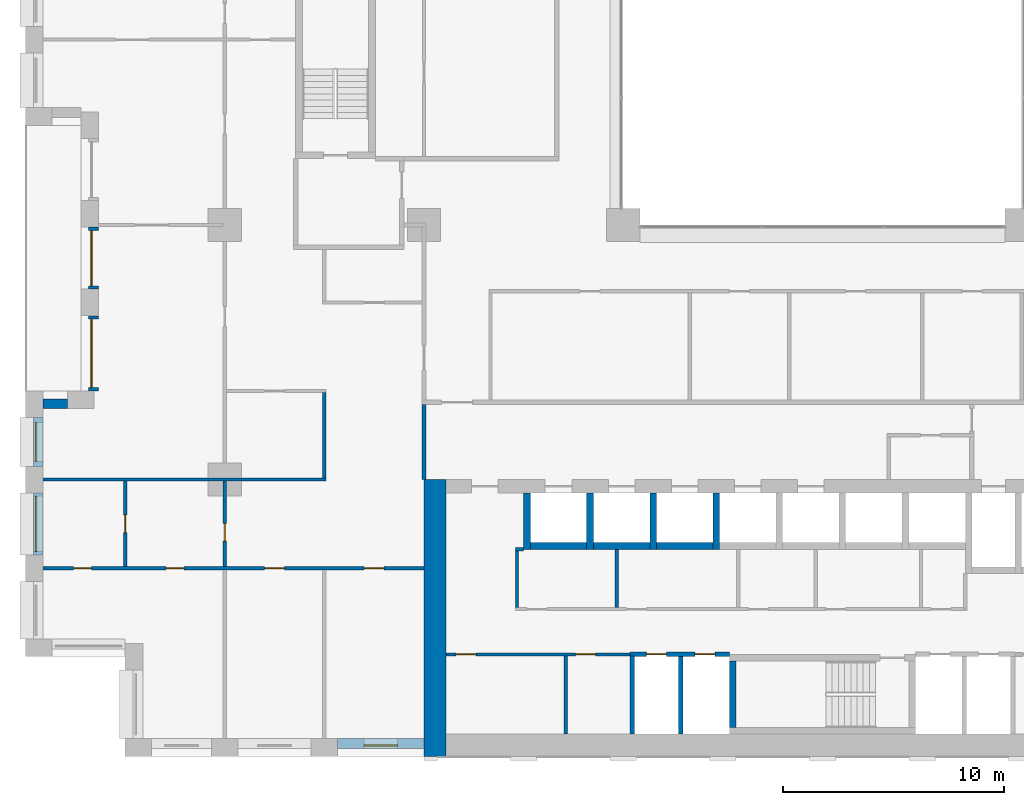
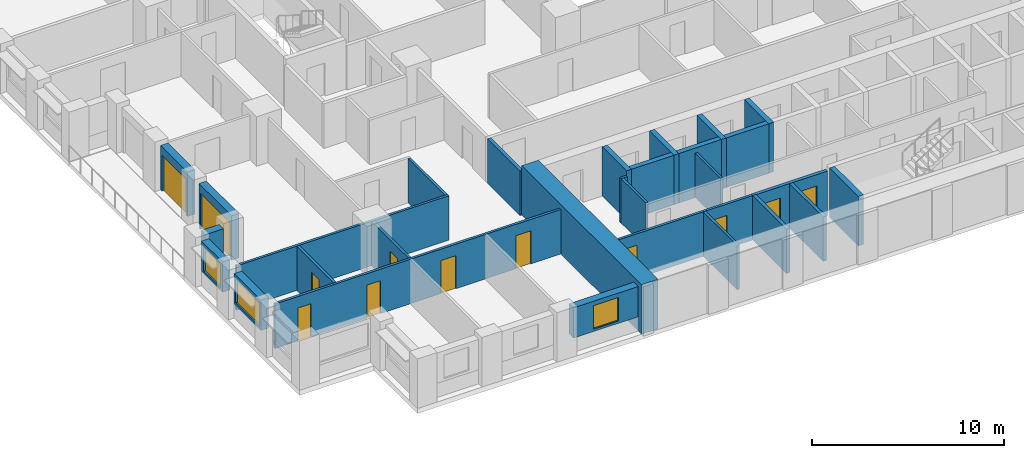
# One storey, part 9 of 21: 29 walls, 12 doors, 3 windows, 15 openings.
"""IFC4 building model written with IfcOpenShell, lengths in metres."""

import ifcopenshell
import ifcopenshell.guid

model = None  # the IFC model being written
_history = None  # IfcOwnerHistory: only IFC2X3 demands one
_inside = {}  # id of a spatial element -> (the spatial element, [elements in it])
_under = {}  # id of a project, library or spatial element -> (it, [spatial elements below it])
_declared = {}  # id of a project -> (the project, [libraries it declares])
_typed = {}  # id of a type object -> (the type object, [elements of that type])
_made_of = {}  # id of a material, layer set ... -> (it, [elements and type objects made of it])


def new_model(schema):
    """Start an empty IFC model of exactly this schema.

    Asked for "IFC4X3", IfcOpenShell would pick the latest addendum, in which some entities
    have other attributes; the version numbers below select the first issue.
    IFC2X3 requires an IfcOwnerHistory on every rooted entity: one is made here for all.
    """
    global model, _history
    if schema == "IFC4X3":
        model = ifcopenshell.file(schema_version=(4, 3, 0, 0))
    else:
        model = ifcopenshell.file(schema=schema)
    _inside.clear()
    _under.clear()
    _declared.clear()
    _typed.clear()
    _made_of.clear()
    _history = None
    if model.schema == "IFC2X3":
        org = make("IfcOrganization", Name="unknown")
        user = make(
            "IfcPersonAndOrganization",
            ThePerson=make("IfcPerson", FamilyName="unknown"),
            TheOrganization=org,
        )
        app = make(
            "IfcApplication",
            ApplicationDeveloper=org,
            Version="unknown",
            ApplicationFullName="unknown",
            ApplicationIdentifier="unknown",
        )
        _history = make(
            "IfcOwnerHistory",
            OwningUser=user,
            OwningApplication=app,
            ChangeAction="ADDED",
            CreationDate=0,
        )
    return model


def make(cls, **values):
    """One entity of the class cls with the attributes given. An attribute that is None is left unset."""
    return model.create_entity(
        cls, **{name: value for name, value in values.items() if value is not None}
    )


def rooted(cls, **values):
    """An entity with a GlobalId (a new one), such as an element, a storey or a relation."""
    return make(cls, GlobalId=ifcopenshell.guid.new(), OwnerHistory=_history, **values)


def si_unit(unit_type, name, prefix=None):
    """IfcSIUnit, for example si_unit("LENGTHUNIT", "METRE", prefix="MILLI")."""
    return make("IfcSIUnit", UnitType=unit_type, Prefix=prefix, Name=name)


def assignment(units):
    """IfcUnitAssignment: the units of a project."""
    return None if units is None else make("IfcUnitAssignment", Units=units)


def point(xyz):
    """IfcCartesianPoint."""
    return None if xyz is None else make("IfcCartesianPoint", Coordinates=xyz)


def direction(xyz):
    """IfcDirection."""
    return None if xyz is None else make("IfcDirection", DirectionRatios=xyz)


def frame(location, z_axis=None, x_axis=None):
    """IfcAxis2Placement3D, a coordinate frame: its origin and axes. An axis left out is left unset."""
    return make(
        "IfcAxis2Placement3D",
        Location=point(location),
        Axis=direction(z_axis),
        RefDirection=direction(x_axis),
    )


def frame_2d(location, x_axis=None):
    """IfcAxis2Placement2D, a coordinate frame in the plane: its origin and x axis."""
    return make(
        "IfcAxis2Placement2D", Location=point(location), RefDirection=direction(x_axis)
    )


def origin():
    """The frame at (0, 0, 0) with its axes left unset."""
    return frame((0.0, 0.0, 0.0))


def place(relative_to, where):
    """IfcLocalPlacement: puts the frame where relative to a parent placement (None: the world)."""
    return make(
        "IfcLocalPlacement", PlacementRelTo=relative_to, RelativePlacement=where
    )


def context(
    kind, dimensions, precision=None, world=None, true_north=None, identifier=None
):
    """IfcGeometricRepresentationContext, for example the 3D "Model" context."""
    return make(
        "IfcGeometricRepresentationContext",
        ContextIdentifier=identifier,
        ContextType=kind,
        CoordinateSpaceDimension=dimensions,
        Precision=precision,
        WorldCoordinateSystem=world,
        TrueNorth=true_north,
    )


def subcontext(parent, identifier, kind, view, scale=None):
    """IfcGeometricRepresentationSubContext, for example "Body" below "Model"."""
    return make(
        "IfcGeometricRepresentationSubContext",
        ContextIdentifier=identifier,
        ContextType=kind,
        ParentContext=parent,
        TargetScale=scale,
        TargetView=view,
    )


def project(units=None, contexts=None):
    """IfcProject with its units and contexts."""
    return rooted(
        "IfcProject",
        Name="project",
        RepresentationContexts=contexts,
        UnitsInContext=assignment(units),
    )


def spatial(cls, under=None, at=None, **own):
    """A site, building, storey or space (cls), placed at a placement, below another one or the project."""
    s = rooted(cls, ObjectPlacement=at, **own)
    if under is not None:
        _under.setdefault(under.id(), (under, []))[1].append(s)
    return s


def profile(cls, at=None, kind="AREA", **sizes):
    """A parametric profile (cls). Its sizes go by their IFC names, for example OverallWidth=200.0."""
    return make(cls, ProfileType=kind, Position=at, **sizes)


def rectangle(**sizes):
    """IfcRectangleProfileDef."""
    return profile("IfcRectangleProfileDef", **sizes)


def extrude(swept, where, along, depth):
    """IfcExtrudedAreaSolid: the profile swept, set in the frame where, extruded along a direction by depth."""
    return make(
        "IfcExtrudedAreaSolid",
        SweptArea=swept,
        Position=where,
        ExtrudedDirection=direction(along),
        Depth=depth,
    )


def shape(context_of_items, identifier, shape_type, items):
    """IfcShapeRepresentation: the items that make up one representation, for example the "Body"."""
    return make(
        "IfcShapeRepresentation",
        ContextOfItems=context_of_items,
        RepresentationIdentifier=identifier,
        RepresentationType=shape_type,
        Items=items,
    )


def material(Name=None, Category=None):
    """IfcMaterial."""
    return make("IfcMaterial", Name=Name, Category=Category)


def layer(
    of_material, thickness, ventilated=None, Name=None, Category=None, Priority=None
):
    """IfcMaterialLayer: one layer of a wall or slab, of a material (None: an air gap)."""
    return make(
        "IfcMaterialLayer",
        Material=of_material,
        LayerThickness=thickness,
        IsVentilated=ventilated,
        Name=Name,
        Category=Category,
        Priority=Priority,
    )


def layer_set(layers, Name=None):
    """IfcMaterialLayerSet."""
    return make("IfcMaterialLayerSet", MaterialLayers=layers, LayerSetName=Name)


def made_of(thing, what):
    """Note that an element or type object is made of a material, layer set ...; save() writes the relation."""
    if what is not None:
        _made_of.setdefault(what.id(), (what, []))[1].append(thing)
    return thing


def type_object(cls, material=None, **own):
    """A type object (cls), such as IfcWallType, which elements share."""
    return made_of(rooted(cls, **own), material)


def element(
    cls,
    number,
    at=None,
    inside=None,
    cuts=None,
    type_object=None,
    material=None,
    context=None,
    identifier="Body",
    shape_type=None,
    held_by="IfcProductDefinitionShape",
    body=None,
    shapes=None,
    **own,
):
    """One element of the class cls, such as IfcWall. Its Tag is "e" and its number.

    at: its placement. inside: the storey or other place that contains it. cuts: it is an
    opening in that element (IfcRelVoidsElement). A single representation is given by context,
    identifier, shape_type and body (its items); several are given by shapes. held_by: the class
    of the entity that holds the representations. save() writes the other relations.
    """
    e = rooted(cls, Tag="e%d" % number, ObjectPlacement=at, **own)
    if body is not None:
        shapes = [shape(context, identifier, shape_type, body)]
    if shapes is not None:
        e.Representation = make(held_by, Representations=shapes)
    if inside is not None:
        _inside.setdefault(inside.id(), (inside, []))[1].append(e)
    if cuts is not None:
        rooted(
            "IfcRelVoidsElement", RelatingBuildingElement=cuts, RelatedOpeningElement=e
        )
    if type_object is not None:
        _typed.setdefault(type_object.id(), (type_object, []))[1].append(e)
    return made_of(e, material)


def fill(opening, filler):
    """IfcRelFillsElement: the door or window that sits in an opening."""
    return rooted(
        "IfcRelFillsElement",
        RelatingOpeningElement=opening,
        RelatedBuildingElement=filler,
    )


def aggregate(whole, parts):
    """IfcRelAggregates: a whole, such as a stair, and the parts it consists of."""
    return rooted("IfcRelAggregates", RelatingObject=whole, RelatedObjects=parts)


def save(model, path):
    """Write the relations noted so far, then the file.

    IfcRelAggregates (storeys below a building ...), IfcRelContainedInSpatialStructure (elements
    in a storey), IfcRelDefinesByType, IfcRelAssociatesMaterial and IfcRelDeclares: one each for
    every whole, place, type object, material and project.
    """
    for whole, parts in _under.values():
        aggregate(whole, parts)
    for where, things in _inside.values():
        rooted(
            "IfcRelContainedInSpatialStructure",
            RelatedElements=things,
            RelatingStructure=where,
        )
    for kind, things in _typed.values():
        rooted("IfcRelDefinesByType", RelatedObjects=things, RelatingType=kind)
    for what, things in _made_of.values():
        rooted("IfcRelAssociatesMaterial", RelatedObjects=things, RelatingMaterial=what)
    for by, libraries in _declared.values():
        rooted("IfcRelDeclares", RelatingContext=by, RelatedDefinitions=libraries)
    model.write(path)


model = new_model("IFC4")

# Units and contexts
model_context = context("Model", 3, precision=1e-05, world=origin(), true_north=direction((0.0, 1.0)))
body_context = subcontext(model_context, "Body", "Model", "MODEL_VIEW")
ifc_project = project(units=[si_unit("LENGTHUNIT", "METRE"), si_unit("AREAUNIT", "SQUARE_METRE"), si_unit("VOLUMEUNIT", "CUBIC_METRE"), si_unit("PLANEANGLEUNIT", "RADIAN"), si_unit("MASSUNIT", "GRAM", prefix="KILO")], contexts=[model_context])

# Site, building, storey
site_placement = place(None, origin())
site = spatial("IfcSite", under=ifc_project, at=site_placement, CompositionType="ELEMENT")
building_placement = place(site_placement, origin())
building = spatial("IfcBuilding", under=site, at=building_placement, Name="Brigalow Station Residences", CompositionType="ELEMENT")
storey_placement = place(building_placement, frame((0.0, 0.0, 47.85009765625)))
storey = spatial("IfcBuildingStorey", under=building, at=storey_placement, Name="L13", CompositionType="ELEMENT", Elevation=47.85009765625)

# Wall, opening, window
ifc_material_1 = material(Name="Clay brick masonry", Category="masonry")
ifc_layer_1 = layer(ifc_material_1, 0.449951171875)
ifc_layer_set_1 = layer_set([ifc_layer_1], Name="BRICK INFILL WALL 450")
wall_type_1 = type_object("IfcWallType", Name="BRICK INFILL WALL 450", PredefinedType="SOLIDWALL", material=ifc_layer_set_1)
wall_1_placement = place(storey_placement, frame((14.10009765625, 0.574951171875, 0.89990234375), z_axis=(0.0, 0.0, 1.0), x_axis=(1.0, 0.0, 0.0)))
wall_1 = element("IfcWall", 1, at=wall_1_placement, inside=storey, type_object=wall_type_1, Name="L13/ewall/W-L13-3", PredefinedType="SOLIDWALL", context=body_context, shape_type="SweptSolid", body=[
    extrude(rectangle(XDim=3.89990234375, YDim=0.449951171875, at=frame_2d((1.949951171875, 0.0))), origin(), (0.0, 0.0, 1.0), 1.929931640625),
])
opening_1_placement = place(wall_1_placement, frame((1.199951171875, 0.0, 0.14990234375)))
opening_1 = element("IfcOpeningElement", 2, at=opening_1_placement, cuts=wall_1, Name="Opening WT-1", PredefinedType="OPENING", context=body_context, shape_type="SweptSolid", body=[
    extrude(rectangle(XDim=1.5, YDim=1.5, at=frame_2d((0.75, 0.75))), frame((0.0, 0.23486328125, 0.0), z_axis=(0.0, -1.0, 0.0), x_axis=(1.0, 0.0, 0.0)), (0.0, 0.0, 1.0), 0.469970703125),
])
ifc_material_2 = material(Name="Anodised aluminium frame with double glazing", Category="aluminium")
window_type_1 = type_object("IfcWindowType", Name="WINDOW 1500x1500", PartitioningType="SINGLE_PANEL", PredefinedType="WINDOW", material=ifc_material_2)
window_1_placement = place(opening_1_placement, origin())
window_1 = element("IfcWindow", 3, at=window_1_placement, inside=storey, type_object=window_type_1, Name="L13/window/W-L13-3", OverallHeight=1.5, OverallWidth=1.5, PartitioningType="SINGLE_PANEL", PredefinedType="WINDOW", context=body_context, shape_type="SweptSolid", body=[
    extrude(rectangle(XDim=1.5, YDim=1.5, at=frame_2d((0.75, 0.75))), frame((0.0, -0.06494140625, 0.0), z_axis=(0.0, -1.0, 0.0), x_axis=(1.0, 0.0, 0.0)), (0.0, 0.0, 1.0), 0.06005859375),
])
fill(opening_1, window_1)

# Wall, opening, door
wall_2_placement = place(storey_placement, frame((3.074951171875, 23.89990234375, 0.0), z_axis=(0.0, 0.0, 1.0), x_axis=(0.0, -1.0, 0.0)))
wall_2 = element("IfcWall", 4, at=wall_2_placement, inside=storey, type_object=wall_type_1, Name="L13/ewall/W-L13-48", PredefinedType="SOLIDWALL", context=body_context, shape_type="SweptSolid", body=[
    extrude(rectangle(XDim=2.7998046875, YDim=0.449951171875, at=frame_2d((1.39990234375, 0.0))), origin(), (0.0, 0.0, 1.0), 2.829833984375),
])
opening_2_placement = place(wall_2_placement, frame((0.14990234375, 0.0, 0.0)))
opening_2 = element("IfcOpeningElement", 5, at=opening_2_placement, cuts=wall_2, Name="Opening D-B2500", PredefinedType="OPENING", context=body_context, shape_type="SweptSolid", body=[
    extrude(rectangle(XDim=2.5, YDim=2.300048828125, at=frame_2d((1.25, 1.14990234375))), frame((0.0, 0.23486328125, 0.0), z_axis=(0.0, -1.0, 0.0), x_axis=(1.0, 0.0, 0.0)), (0.0, 0.0, 1.0), 0.469970703125),
])
ifc_material_3 = material(Name="Anodised aluminium frame with double glazing", Category="aluminium")
door_type_1 = type_object("IfcDoorType", Name="BALCONY SLIDING DOOR 2500x2300", OperationType="SLIDING_TO_LEFT", PredefinedType="DOOR", material=ifc_material_3)
door_1_placement = place(opening_2_placement, origin())
door_1 = element("IfcDoor", 6, at=door_1_placement, inside=storey, type_object=door_type_1, Name="L13/balcony-door/W-L13-48", OperationType="SLIDING_TO_LEFT", OverallHeight=2.300048828125, OverallWidth=2.5, PredefinedType="DOOR", context=body_context, shape_type="SweptSolid", body=[
    extrude(rectangle(XDim=2.5, YDim=2.300048828125, at=frame_2d((1.25, 1.14990234375))), frame((0.0, -0.06982421875, 0.0), z_axis=(0.0, -1.0, 0.0), x_axis=(1.0, 0.0, 0.0)), (0.0, 0.0, 1.0), 0.050048828125),
])
fill(opening_2, door_1)

wall_3_placement = place(storey_placement, frame((3.074951171875, 19.89990234375, 0.0), z_axis=(0.0, 0.0, 1.0), x_axis=(0.0, -1.0, 0.0)))
wall_3 = element("IfcWall", 7, at=wall_3_placement, inside=storey, type_object=wall_type_1, Name="L13/ewall/W-L13-49", PredefinedType="SOLIDWALL", context=body_context, shape_type="SweptSolid", body=[
    extrude(rectangle(XDim=3.39990234375, YDim=0.449951171875, at=frame_2d((1.699951171875, 0.0))), origin(), (0.0, 0.0, 1.0), 2.829833984375),
])
opening_3_placement = place(wall_3_placement, frame((0.14990234375, 0.0, 0.0)))
opening_3 = element("IfcOpeningElement", 8, at=opening_3_placement, cuts=wall_3, Name="Opening D-B3100", PredefinedType="OPENING", context=body_context, shape_type="SweptSolid", body=[
    extrude(rectangle(XDim=3.10009765625, YDim=2.300048828125, at=frame_2d((1.550048828125, 1.14990234375))), frame((0.0, 0.23486328125, 0.0), z_axis=(0.0, -1.0, 0.0), x_axis=(1.0, 0.0, 0.0)), (0.0, 0.0, 1.0), 0.469970703125),
])
ifc_material_4 = material(Name="Anodised aluminium frame with double glazing", Category="aluminium")
door_type_2 = type_object("IfcDoorType", Name="BALCONY SLIDING DOOR 3100x2300", OperationType="SLIDING_TO_LEFT", PredefinedType="DOOR", material=ifc_material_4)
door_2_placement = place(opening_3_placement, origin())
door_2 = element("IfcDoor", 9, at=door_2_placement, inside=storey, type_object=door_type_2, Name="L13/balcony-door/W-L13-49", OperationType="SLIDING_TO_LEFT", OverallHeight=2.300048828125, OverallWidth=3.10009765625, PredefinedType="DOOR", context=body_context, shape_type="SweptSolid", body=[
    extrude(rectangle(XDim=3.10009765625, YDim=2.300048828125, at=frame_2d((1.550048828125, 1.14990234375))), frame((0.0, -0.06982421875, 0.0), z_axis=(0.0, -1.0, 0.0), x_axis=(1.0, 0.0, 0.0)), (0.0, 0.0, 1.0), 0.050048828125),
])
fill(opening_3, door_2)

# Wall
wall_4_placement = place(storey_placement, frame((1.89990234375, 15.925048828125, 0.89990234375), z_axis=(0.0, 0.0, 1.0), x_axis=(-1.0, 0.0, 0.0)))
element("IfcWall", 10, at=wall_4_placement, inside=storey, type_object=wall_type_1, Name="L13/ewall/W-L13-50", PredefinedType="SOLIDWALL", context=body_context, shape_type="SweptSolid", body=[
    extrude(rectangle(XDim=1.099853515625, YDim=0.449951171875, at=frame_2d((0.5498046875, 0.0))), origin(), (0.0, 0.0, 1.0), 1.929931640625),
])

# Wall, opening, window
wall_5_placement = place(storey_placement, frame((0.574951171875, 15.300048828125, 0.89990234375), z_axis=(0.0, 0.0, 1.0), x_axis=(0.0, -1.0, 0.0)))
wall_5 = element("IfcWall", 11, at=wall_5_placement, inside=storey, type_object=wall_type_1, Name="L13/ewall/W-L13-51", PredefinedType="SOLIDWALL", context=body_context, shape_type="SweptSolid", body=[
    extrude(rectangle(XDim=2.199951171875, YDim=0.449951171875, at=frame_2d((1.10009765625, 0.0))), origin(), (0.0, 0.0, 1.0), 1.929931640625),
])
opening_4_placement = place(wall_5_placement, frame((0.22509765625, 0.0, 0.14990234375)))
opening_4 = element("IfcOpeningElement", 12, at=opening_4_placement, cuts=wall_5, Name="Opening WT-4", PredefinedType="OPENING", context=body_context, shape_type="SweptSolid", body=[
    extrude(rectangle(XDim=1.75, YDim=1.5, at=frame_2d((0.875, 0.75))), frame((0.0, 0.23486328125, 0.0), z_axis=(0.0, -1.0, 0.0), x_axis=(1.0, 0.0, 0.0)), (0.0, 0.0, 1.0), 0.469970703125),
])
ifc_material_5 = material(Name="Anodised aluminium frame with double glazing", Category="aluminium")
window_type_2 = type_object("IfcWindowType", Name="WINDOW 1750x1500", PartitioningType="SINGLE_PANEL", PredefinedType="WINDOW", material=ifc_material_5)
window_2_placement = place(opening_4_placement, origin())
window_2 = element("IfcWindow", 13, at=window_2_placement, inside=storey, type_object=window_type_2, Name="L13/window/W-L13-51", OverallHeight=1.5, OverallWidth=1.75, PartitioningType="SINGLE_PANEL", PredefinedType="WINDOW", context=body_context, shape_type="SweptSolid", body=[
    extrude(rectangle(XDim=1.75, YDim=1.5, at=frame_2d((0.875, 0.75))), frame((0.0, -0.06494140625, 0.0), z_axis=(0.0, -1.0, 0.0), x_axis=(1.0, 0.0, 0.0)), (0.0, 0.0, 1.0), 0.06005859375),
])
fill(opening_4, window_2)

wall_6_placement = place(storey_placement, frame((0.574951171875, 11.89990234375, 0.89990234375), z_axis=(0.0, 0.0, 1.0), x_axis=(0.0, -1.0, 0.0)))
wall_6 = element("IfcWall", 14, at=wall_6_placement, inside=storey, type_object=wall_type_1, Name="L13/ewall/W-L13-52", PredefinedType="SOLIDWALL", context=body_context, shape_type="SweptSolid", body=[
    extrude(rectangle(XDim=2.7998046875, YDim=0.449951171875, at=frame_2d((1.39990234375, 0.0))), origin(), (0.0, 0.0, 1.0), 1.929931640625),
])
opening_5_placement = place(wall_6_placement, frame((0.14990234375, 0.0, 0.14990234375)))
opening_5 = element("IfcOpeningElement", 15, at=opening_5_placement, cuts=wall_6, Name="Opening WT-5", PredefinedType="OPENING", context=body_context, shape_type="SweptSolid", body=[
    extrude(rectangle(XDim=2.5, YDim=1.5, at=frame_2d((1.25, 0.75))), frame((0.0, 0.23486328125, 0.0), z_axis=(0.0, -1.0, 0.0), x_axis=(1.0, 0.0, 0.0)), (0.0, 0.0, 1.0), 0.469970703125),
])
ifc_material_6 = material(Name="Anodised aluminium frame with double glazing", Category="aluminium")
window_type_3 = type_object("IfcWindowType", Name="WINDOW 2500x1500", PartitioningType="SINGLE_PANEL", PredefinedType="WINDOW", material=ifc_material_6)
window_3_placement = place(opening_5_placement, origin())
window_3 = element("IfcWindow", 16, at=window_3_placement, inside=storey, type_object=window_type_3, Name="L13/window/W-L13-52", OverallHeight=1.5, OverallWidth=2.5, PartitioningType="SINGLE_PANEL", PredefinedType="WINDOW", context=body_context, shape_type="SweptSolid", body=[
    extrude(rectangle(XDim=2.5, YDim=1.5, at=frame_2d((1.25, 0.75))), frame((0.0, -0.06494140625, 0.0), z_axis=(0.0, -1.0, 0.0), x_axis=(1.0, 0.0, 0.0)), (0.0, 0.0, 1.0), 0.06005859375),
])
fill(opening_5, window_3)

# Walls
ifc_material_7 = material(Name="Concrete C80", Category="concrete")
ifc_layer_2 = layer(ifc_material_7, 1.0)
ifc_layer_set_2 = layer_set([ifc_layer_2], Name="CORE SHEAR WALL 1000 C80")
wall_type_2 = type_object("IfcWallType", Name="CORE SHEAR WALL 1000 C80", PredefinedType="SHEAR", material=ifc_layer_set_2)
wall_7_placement = place(storey_placement, frame((18.5, 0.0, 0.0), z_axis=(0.0, 0.0, 1.0), x_axis=(0.0, 1.0, 0.0)))
element("IfcWall", 17, at=wall_7_placement, inside=storey, type_object=wall_type_2, Name="CORE WALL OUT-W L13", PredefinedType="SHEAR", context=body_context, shape_type="SweptSolid", body=[
    extrude(rectangle(XDim=12.5, YDim=1.0, at=frame_2d((6.25, 0.0))), origin(), (0.0, 0.0, 1.0), 3.14990234375),
])
ifc_material_8 = material(Name="Concrete C80", Category="concrete")
ifc_layer_3 = layer(ifc_material_8, 0.300048828125)
ifc_layer_set_3 = layer_set([ifc_layer_3], Name="CORE SHEAR WALL 300 C80")
wall_type_3 = type_object("IfcWallType", Name="CORE SHEAR WALL 300 C80", PredefinedType="SHEAR", material=ifc_layer_set_3)
wall_8_placement = place(storey_placement, frame((22.800048828125, 9.5, 0.0), z_axis=(0.0, 0.0, 1.0), x_axis=(1.0, 0.0, 0.0)))
element("IfcWall", 18, at=wall_8_placement, inside=storey, type_object=wall_type_3, Name="CORE WALL SH-P1-S L13", PredefinedType="SHEAR", context=body_context, shape_type="SweptSolid", body=[
    extrude(rectangle(XDim=2.550048828125, YDim=0.300048828125, at=frame_2d((1.27490234375, 0.0))), origin(), (0.0, 0.0, 1.0), 3.14990234375),
])
wall_9_placement = place(storey_placement, frame((22.64990234375, 9.35009765625, 0.0), z_axis=(0.0, 0.0, 1.0), x_axis=(0.0, 1.0, 0.0)))
element("IfcWall", 19, at=wall_9_placement, inside=storey, type_object=wall_type_3, Name="CORE WALL SH-P1-W L13", PredefinedType="SHEAR", context=body_context, shape_type="SweptSolid", body=[
    extrude(rectangle(XDim=2.5498046875, YDim=0.300048828125, at=frame_2d((1.27490234375, 0.0))), origin(), (0.0, 0.0, 1.0), 3.14990234375),
])
wall_10_placement = place(storey_placement, frame((25.64990234375, 9.5, 0.0), z_axis=(0.0, 0.0, 1.0), x_axis=(1.0, 0.0, 0.0)))
element("IfcWall", 20, at=wall_10_placement, inside=storey, type_object=wall_type_3, Name="CORE WALL SH-P2-S L13", PredefinedType="SHEAR", context=body_context, shape_type="SweptSolid", body=[
    extrude(rectangle(XDim=2.550048828125, YDim=0.300048828125, at=frame_2d((1.27490234375, 0.0))), origin(), (0.0, 0.0, 1.0), 3.14990234375),
])
wall_11_placement = place(storey_placement, frame((25.5, 9.35009765625, 0.0), z_axis=(0.0, 0.0, 1.0), x_axis=(0.0, 1.0, 0.0)))
element("IfcWall", 21, at=wall_11_placement, inside=storey, type_object=wall_type_3, Name="CORE WALL SH-P2-W L13", PredefinedType="SHEAR", context=body_context, shape_type="SweptSolid", body=[
    extrude(rectangle(XDim=2.5498046875, YDim=0.300048828125, at=frame_2d((1.27490234375, 0.0))), origin(), (0.0, 0.0, 1.0), 3.14990234375),
])
wall_12_placement = place(storey_placement, frame((28.5, 9.5, 0.0), z_axis=(0.0, 0.0, 1.0), x_axis=(1.0, 0.0, 0.0)))
element("IfcWall", 22, at=wall_12_placement, inside=storey, type_object=wall_type_3, Name="CORE WALL SH-P3-S L13", PredefinedType="SHEAR", context=body_context, shape_type="SweptSolid", body=[
    extrude(rectangle(XDim=2.550048828125, YDim=0.300048828125, at=frame_2d((1.27490234375, 0.0))), origin(), (0.0, 0.0, 1.0), 3.14990234375),
])
for number, where, z_axis, x_axis, name in (
    (23, (28.35009765625, 9.35009765625, 0.0), (0.0, 0.0, 1.0), (0.0, 1.0, 0.0), "CORE WALL SH-P3-W L13"),
    (24, (31.199951171875, 9.35009765625, 0.0), (0.0, 0.0, 1.0), (0.0, 1.0, 0.0), "CORE WALL SH-P4-W L13"),
):
    element("IfcWall", number, at=place(storey_placement, frame(where, z_axis=z_axis, x_axis=x_axis)), inside=storey, type_object=wall_type_3, Name=name, PredefinedType="SHEAR", context=body_context, shape_type="SweptSolid", body=[
        extrude(rectangle(XDim=2.5498046875, YDim=0.300048828125, at=frame_2d((1.27490234375, 0.0))), origin(), (0.0, 0.0, 1.0), 3.14990234375),
    ])
wall_13_placement = place(storey_placement, frame((31.949951171875, 1.300048828125, 0.0), z_axis=(0.0, 0.0, 1.0), x_axis=(0.0, 1.0, 0.0)))
element("IfcWall", 25, at=wall_13_placement, inside=storey, type_object=wall_type_3, Name="CORE WALL ST-S2-W L13", PredefinedType="SHEAR", context=body_context, shape_type="SweptSolid", body=[
    extrude(rectangle(XDim=3.0, YDim=0.300048828125, at=frame_2d((1.5, 0.0))), origin(), (0.0, 0.0, 1.0), 3.14990234375),
])

# Wall, openings, doors
ifc_material_9 = material(Name="Concrete blockwork", Category="masonry")
ifc_layer_4 = layer(ifc_material_9, 0.199951171875)
ifc_layer_set_4 = layer_set([ifc_layer_4], Name="FIRE RATED CORE PARTITION 200")
wall_type_4 = type_object("IfcWallType", Name="FIRE RATED CORE PARTITION 200", PredefinedType="PARTITIONING", material=ifc_layer_set_4)
wall_14_placement = place(storey_placement, frame((27.300048828125, 4.60009765625, 0.0), z_axis=(0.0, 0.0, 1.0), x_axis=(1.0, 0.0, 0.0)))
wall_14 = element("IfcWall", 26, at=wall_14_placement, inside=storey, type_object=wall_type_4, Name="PW-5017", PredefinedType="PARTITIONING", context=body_context, shape_type="SweptSolid", body=[
    extrude(rectangle(XDim=4.5, YDim=0.199951171875, at=frame_2d((2.25, 0.0))), origin(), (0.0, 0.0, 1.0), 2.829833984375),
])
opening_6_placement = place(wall_14_placement, frame((0.75, 0.0, 0.0)))
opening_6 = element("IfcOpeningElement", 27, at=opening_6_placement, cuts=wall_14, Name="Opening D-5007", PredefinedType="OPENING", context=body_context, shape_type="SweptSolid", body=[
    extrude(rectangle(XDim=0.89990234375, YDim=2.10009765625, at=frame_2d((0.449951171875, 1.050048828125))), frame((0.0, 0.10986328125, 0.0), z_axis=(0.0, -1.0, 0.0), x_axis=(1.0, 0.0, 0.0)), (0.0, 0.0, 1.0), 0.219970703125),
])
opening_7_placement = place(wall_14_placement, frame((2.949951171875, 0.0, 0.0)))
opening_7 = element("IfcOpeningElement", 28, at=opening_7_placement, cuts=wall_14, Name="Opening D-5008", PredefinedType="OPENING", context=body_context, shape_type="SweptSolid", body=[
    extrude(rectangle(XDim=0.89990234375, YDim=2.10009765625, at=frame_2d((0.449951171875, 1.050048828125))), frame((0.0, 0.10986328125, 0.0), z_axis=(0.0, -1.0, 0.0), x_axis=(1.0, 0.0, 0.0)), (0.0, 0.0, 1.0), 0.219970703125),
])
ifc_material_10 = material(Name="Steel fire door leaf in steel frame", Category="steel")
door_type_3 = type_object("IfcDoorType", Name="RISER ACCESS DOOR 900 x 2100 FD120", OperationType="SINGLE_SWING_LEFT", PredefinedType="DOOR", material=ifc_material_10)
door_3_placement = place(opening_6_placement, frame((0.89990234375, 0.0, 0.0), z_axis=(0.0, 0.0, 1.0), x_axis=(-1.0, 0.0, 0.0)))
door_3 = element("IfcDoor", 29, at=door_3_placement, inside=storey, type_object=door_type_3, Name="D-5007", OperationType="SINGLE_SWING_RIGHT", OverallHeight=2.10009765625, OverallWidth=0.89990234375, PredefinedType="DOOR", context=body_context, shape_type="SweptSolid", body=[
    extrude(rectangle(XDim=0.89990234375, YDim=2.10009765625, at=frame_2d((0.449951171875, 1.050048828125))), frame((0.0, 0.02490234375, 0.0), z_axis=(0.0, -1.0, 0.0), x_axis=(1.0, 0.0, 0.0)), (0.0, 0.0, 1.0), 0.050048828125),
])
fill(opening_6, door_3)
door_4_placement = place(opening_7_placement, frame((0.89990234375, 0.0, 0.0), z_axis=(0.0, 0.0, 1.0), x_axis=(-1.0, 0.0, 0.0)))
door_4 = element("IfcDoor", 30, at=door_4_placement, inside=storey, type_object=door_type_3, Name="D-5008", OperationType="SINGLE_SWING_RIGHT", OverallHeight=2.10009765625, OverallWidth=0.89990234375, PredefinedType="DOOR", context=body_context, shape_type="SweptSolid", body=[
    extrude(rectangle(XDim=0.89990234375, YDim=2.10009765625, at=frame_2d((0.449951171875, 1.050048828125))), frame((0.0, 0.02490234375, 0.0), z_axis=(0.0, -1.0, 0.0), x_axis=(1.0, 0.0, 0.0)), (0.0, 0.0, 1.0), 0.050048828125),
])
fill(opening_7, door_4)

# Walls
wall_15_placement = place(storey_placement, frame((27.39990234375, 1.0, 0.0), z_axis=(0.0, 0.0, 1.0), x_axis=(0.0, 1.0, 0.0)))
element("IfcWall", 31, at=wall_15_placement, inside=storey, type_object=wall_type_4, Name="PW-5027", PredefinedType="PARTITIONING", context=body_context, shape_type="SweptSolid", body=[
    extrude(rectangle(XDim=3.52490234375, YDim=0.199951171875, at=frame_2d((1.762451171875, 0.0))), origin(), (0.0, 0.0, 1.0), 2.829833984375),
])
wall_16_placement = place(storey_placement, frame((29.60009765625, 1.0, 0.0), z_axis=(0.0, 0.0, 1.0), x_axis=(0.0, 1.0, 0.0)))
element("IfcWall", 32, at=wall_16_placement, inside=storey, type_object=wall_type_4, Name="PW-5006", PredefinedType="PARTITIONING", context=body_context, shape_type="SweptSolid", body=[
    extrude(rectangle(XDim=3.5, YDim=0.199951171875, at=frame_2d((1.75, 0.0))), origin(), (0.0, 0.0, 1.0), 2.829833984375),
])
wall_17_placement = place(storey_placement, frame((18.0, 12.5, 0.0), z_axis=(0.0, 0.0, 1.0), x_axis=(0.0, 1.0, 0.0)))
element("IfcWall", 33, at=wall_17_placement, inside=storey, type_object=wall_type_4, Name="PW-5013", PredefinedType="PARTITIONING", context=body_context, shape_type="SweptSolid", body=[
    extrude(rectangle(XDim=3.39990234375, YDim=0.199951171875, at=frame_2d((1.699951171875, 0.0))), origin(), (0.0, 0.0, 1.0), 2.829833984375),
])

# Wall, openings, doors
ifc_material_11 = material(Name="Plasterboard on steel stud partition", Category="steel")
ifc_layer_5 = layer(ifc_material_11, 0.14990234375)
ifc_layer_set_5 = layer_set([ifc_layer_5], Name="FLAT PARTITION 150")
wall_type_5 = type_object("IfcWallType", Name="FLAT PARTITION 150", PredefinedType="PARTITIONING", material=ifc_layer_set_5)
wall_18_placement = place(storey_placement, frame((0.800048828125, 8.5, 0.0), z_axis=(0.0, 0.0, 1.0), x_axis=(1.0, 0.0, 0.0)))
wall_18 = element("IfcWall", 34, at=wall_18_placement, inside=storey, type_object=wall_type_5, Name="PW-1D11", PredefinedType="PARTITIONING", context=body_context, shape_type="SweptSolid", body=[
    extrude(rectangle(XDim=17.199951171875, YDim=0.14990234375, at=frame_2d((8.60009765625, 0.0))), origin(), (0.0, 0.0, 1.0), 2.829833984375),
])
opening_8_placement = place(wall_18_placement, frame((10.0, 0.0, 0.0)))
opening_8 = element("IfcOpeningElement", 35, at=opening_8_placement, cuts=wall_18, Name="Opening D-1D04", PredefinedType="OPENING", context=body_context, shape_type="SweptSolid", body=[
    extrude(rectangle(XDim=0.89990234375, YDim=2.10009765625, at=frame_2d((0.449951171875, 1.050048828125))), frame((0.0, 0.0849609375, 0.0), z_axis=(0.0, -1.0, 0.0), x_axis=(1.0, 0.0, 0.0)), (0.0, 0.0, 1.0), 0.169921875),
])
opening_9_placement = place(wall_18_placement, frame((14.5, 0.0, 0.0)))
opening_9 = element("IfcOpeningElement", 36, at=opening_9_placement, cuts=wall_18, Name="Opening D-1D05", PredefinedType="OPENING", context=body_context, shape_type="SweptSolid", body=[
    extrude(rectangle(XDim=0.89990234375, YDim=2.10009765625, at=frame_2d((0.449951171875, 1.050048828125))), frame((0.0, 0.0849609375, 0.0), z_axis=(0.0, -1.0, 0.0), x_axis=(1.0, 0.0, 0.0)), (0.0, 0.0, 1.0), 0.169921875),
])
opening_10_placement = place(wall_18_placement, frame((1.375, 0.0, 0.0)))
opening_10 = element("IfcOpeningElement", 37, at=opening_10_placement, cuts=wall_18, Name="Opening D-1D09", PredefinedType="OPENING", context=body_context, shape_type="SweptSolid", body=[
    extrude(rectangle(XDim=0.800048828125, YDim=2.10009765625, at=frame_2d((0.39990234375, 1.050048828125))), frame((0.0, 0.0849609375, 0.0), z_axis=(0.0, -1.0, 0.0), x_axis=(1.0, 0.0, 0.0)), (0.0, 0.0, 1.0), 0.169921875),
])
opening_11_placement = place(wall_18_placement, frame((5.550048828125, 0.0, 0.0)))
opening_11 = element("IfcOpeningElement", 38, at=opening_11_placement, cuts=wall_18, Name="Opening D-1D16", PredefinedType="OPENING", context=body_context, shape_type="SweptSolid", body=[
    extrude(rectangle(XDim=0.800048828125, YDim=2.10009765625, at=frame_2d((0.39990234375, 1.050048828125))), frame((0.0, 0.0849609375, 0.0), z_axis=(0.0, -1.0, 0.0), x_axis=(1.0, 0.0, 0.0)), (0.0, 0.0, 1.0), 0.169921875),
])
ifc_material_12 = material(Name="Solid-core timber door leaf", Category="wood")
door_type_4 = type_object("IfcDoorType", Name="INTERNAL DOOR 800 x 2100", OperationType="SINGLE_SWING_LEFT", PredefinedType="DOOR", material=ifc_material_12)
door_5_placement = place(opening_10_placement, origin())
door_5 = element("IfcDoor", 39, at=door_5_placement, inside=storey, type_object=door_type_4, Name="D-1D09", OperationType="SINGLE_SWING_LEFT", OverallHeight=2.10009765625, OverallWidth=0.800048828125, PredefinedType="DOOR", context=body_context, shape_type="SweptSolid", body=[
    extrude(rectangle(XDim=0.800048828125, YDim=2.10009765625, at=frame_2d((0.39990234375, 1.050048828125))), frame((0.0, 0.02490234375, 0.0), z_axis=(0.0, -1.0, 0.0), x_axis=(1.0, 0.0, 0.0)), (0.0, 0.0, 1.0), 0.050048828125),
])
fill(opening_10, door_5)
door_6_placement = place(opening_11_placement, origin())
door_6 = element("IfcDoor", 40, at=door_6_placement, inside=storey, type_object=door_type_4, Name="D-1D16", OperationType="SINGLE_SWING_LEFT", OverallHeight=2.10009765625, OverallWidth=0.800048828125, PredefinedType="DOOR", context=body_context, shape_type="SweptSolid", body=[
    extrude(rectangle(XDim=0.800048828125, YDim=2.10009765625, at=frame_2d((0.39990234375, 1.050048828125))), frame((0.0, 0.02490234375, 0.0), z_axis=(0.0, -1.0, 0.0), x_axis=(1.0, 0.0, 0.0)), (0.0, 0.0, 1.0), 0.050048828125),
])
fill(opening_11, door_6)
ifc_material_13 = material(Name="Solid-core timber door leaf", Category="wood")
door_type_5 = type_object("IfcDoorType", Name="INTERNAL DOOR 900 x 2100", OperationType="SINGLE_SWING_LEFT", PredefinedType="DOOR", material=ifc_material_13)
door_7_placement = place(opening_8_placement, frame((0.89990234375, 0.0, 0.0), z_axis=(0.0, 0.0, 1.0), x_axis=(-1.0, 0.0, 0.0)))
door_7 = element("IfcDoor", 41, at=door_7_placement, inside=storey, type_object=door_type_5, Name="D-1D04", OperationType="SINGLE_SWING_RIGHT", OverallHeight=2.10009765625, OverallWidth=0.89990234375, PredefinedType="DOOR", context=body_context, shape_type="SweptSolid", body=[
    extrude(rectangle(XDim=0.89990234375, YDim=2.10009765625, at=frame_2d((0.449951171875, 1.050048828125))), frame((0.0, 0.02490234375, 0.0), z_axis=(0.0, -1.0, 0.0), x_axis=(1.0, 0.0, 0.0)), (0.0, 0.0, 1.0), 0.050048828125),
])
fill(opening_8, door_7)
door_8_placement = place(opening_9_placement, frame((0.89990234375, 0.0, 0.0), z_axis=(0.0, 0.0, 1.0), x_axis=(-1.0, 0.0, 0.0)))
door_8 = element("IfcDoor", 42, at=door_8_placement, inside=storey, type_object=door_type_5, Name="D-1D05", OperationType="SINGLE_SWING_RIGHT", OverallHeight=2.10009765625, OverallWidth=0.89990234375, PredefinedType="DOOR", context=body_context, shape_type="SweptSolid", body=[
    extrude(rectangle(XDim=0.89990234375, YDim=2.10009765625, at=frame_2d((0.449951171875, 1.050048828125))), frame((0.0, 0.02490234375, 0.0), z_axis=(0.0, -1.0, 0.0), x_axis=(1.0, 0.0, 0.0)), (0.0, 0.0, 1.0), 0.050048828125),
])
fill(opening_9, door_8)

# Wall
wall_19_placement = place(storey_placement, frame((0.800048828125, 12.5, 0.0), z_axis=(0.0, 0.0, 1.0), x_axis=(1.0, 0.0, 0.0)))
element("IfcWall", 43, at=wall_19_placement, inside=storey, type_object=wall_type_5, Name="PW-1D13", PredefinedType="PARTITIONING", context=body_context, shape_type="SweptSolid", body=[
    extrude(rectangle(XDim=12.77490234375, YDim=0.14990234375, at=frame_2d((6.387451171875, 0.0))), origin(), (0.0, 0.0, 1.0), 2.829833984375),
])

# Wall, opening, door
wall_20_placement = place(storey_placement, frame((9.0, 8.574951171875, 0.0), z_axis=(0.0, 0.0, 1.0), x_axis=(0.0, 1.0, 0.0)))
wall_20 = element("IfcWall", 44, at=wall_20_placement, inside=storey, type_object=wall_type_5, Name="PW-1D47", PredefinedType="PARTITIONING", context=body_context, shape_type="SweptSolid", body=[
    extrude(rectangle(XDim=3.85009765625, YDim=0.14990234375, at=frame_2d((1.925048828125, 0.0))), origin(), (0.0, 0.0, 1.0), 2.829833984375),
])
opening_12_placement = place(wall_20_placement, frame((1.14990234375, 0.0, 0.0)))
opening_12 = element("IfcOpeningElement", 45, at=opening_12_placement, cuts=wall_20, Name="Opening D-1D15", PredefinedType="OPENING", context=body_context, shape_type="SweptSolid", body=[
    extrude(rectangle(XDim=0.800048828125, YDim=2.10009765625, at=frame_2d((0.39990234375, 1.050048828125))), frame((0.0, 0.0849609375, 0.0), z_axis=(0.0, -1.0, 0.0), x_axis=(1.0, 0.0, 0.0)), (0.0, 0.0, 1.0), 0.169921875),
])
door_9_placement = place(opening_12_placement, origin())
door_9 = element("IfcDoor", 46, at=door_9_placement, inside=storey, type_object=door_type_4, Name="D-1D15", OperationType="SINGLE_SWING_LEFT", OverallHeight=2.10009765625, OverallWidth=0.800048828125, PredefinedType="DOOR", context=body_context, shape_type="SweptSolid", body=[
    extrude(rectangle(XDim=0.800048828125, YDim=2.10009765625, at=frame_2d((0.39990234375, 1.050048828125))), frame((0.0, 0.02490234375, 0.0), z_axis=(0.0, -1.0, 0.0), x_axis=(1.0, 0.0, 0.0)), (0.0, 0.0, 1.0), 0.050048828125),
])
fill(opening_12, door_9)

# Wall
wall_21_placement = place(storey_placement, frame((13.5, 12.574951171875, 0.0), z_axis=(0.0, 0.0, 1.0), x_axis=(0.0, 1.0, 0.0)))
element("IfcWall", 47, at=wall_21_placement, inside=storey, type_object=wall_type_5, Name="PW-1D53", PredefinedType="PARTITIONING", context=body_context, shape_type="SweptSolid", body=[
    extrude(rectangle(XDim=3.85009765625, YDim=0.14990234375, at=frame_2d((1.925048828125, 0.0))), origin(), (0.0, 0.0, 1.0), 2.829833984375),
])

# Wall, opening, door
wall_22_placement = place(storey_placement, frame((4.5, 8.574951171875, 0.0), z_axis=(0.0, 0.0, 1.0), x_axis=(0.0, 1.0, 0.0)))
wall_22 = element("IfcWall", 48, at=wall_22_placement, inside=storey, type_object=wall_type_5, Name="PW-1D55", PredefinedType="PARTITIONING", context=body_context, shape_type="SweptSolid", body=[
    extrude(rectangle(XDim=3.85009765625, YDim=0.14990234375, at=frame_2d((1.925048828125, 0.0))), origin(), (0.0, 0.0, 1.0), 2.829833984375),
])
opening_13_placement = place(wall_22_placement, frame((1.52490234375, 0.0, 0.0)))
opening_13 = element("IfcOpeningElement", 49, at=opening_13_placement, cuts=wall_22, Name="Opening D-1D10", PredefinedType="OPENING", context=body_context, shape_type="SweptSolid", body=[
    extrude(rectangle(XDim=0.800048828125, YDim=2.10009765625, at=frame_2d((0.39990234375, 1.050048828125))), frame((0.0, 0.0849609375, 0.0), z_axis=(0.0, -1.0, 0.0), x_axis=(1.0, 0.0, 0.0)), (0.0, 0.0, 1.0), 0.169921875),
])
door_10_placement = place(opening_13_placement, origin())
door_10 = element("IfcDoor", 50, at=door_10_placement, inside=storey, type_object=door_type_4, Name="D-1D10", OperationType="SINGLE_SWING_LEFT", OverallHeight=2.10009765625, OverallWidth=0.800048828125, PredefinedType="DOOR", context=body_context, shape_type="SweptSolid", body=[
    extrude(rectangle(XDim=0.800048828125, YDim=2.10009765625, at=frame_2d((0.39990234375, 1.050048828125))), frame((0.0, 0.02490234375, 0.0), z_axis=(0.0, -1.0, 0.0), x_axis=(1.0, 0.0, 0.0)), (0.0, 0.0, 1.0), 0.050048828125),
])
fill(opening_13, door_10)

# Wall, openings, doors
ifc_material_14 = material(Name="Plasterboard on steel studs", Category="steel")
ifc_layer_6 = layer(ifc_material_14, 0.14990234375)
ifc_layer_set_6 = layer_set([ifc_layer_6], Name="SERVICE ROOM PARTITION 150")
wall_type_6 = type_object("IfcWallType", Name="SERVICE ROOM PARTITION 150", PredefinedType="PARTITIONING", material=ifc_layer_set_6)
wall_23_placement = place(storey_placement, frame((19.0, 4.60009765625, 0.0), z_axis=(0.0, 0.0, 1.0), x_axis=(1.0, 0.0, 0.0)))
wall_23 = element("IfcWall", 51, at=wall_23_placement, inside=storey, type_object=wall_type_6, Name="PW-5019", PredefinedType="PARTITIONING", context=body_context, shape_type="SweptSolid", body=[
    extrude(rectangle(XDim=8.300048828125, YDim=0.14990234375, at=frame_2d((4.14990234375, 0.0))), origin(), (0.0, 0.0, 1.0), 2.829833984375),
])
opening_14_placement = place(wall_23_placement, frame((0.449951171875, 0.0, 0.0)))
opening_14 = element("IfcOpeningElement", 52, at=opening_14_placement, cuts=wall_23, Name="Opening D-5025", PredefinedType="OPENING", context=body_context, shape_type="SweptSolid", body=[
    extrude(rectangle(XDim=0.89990234375, YDim=2.10009765625, at=frame_2d((0.449951171875, 1.050048828125))), frame((0.0, 0.0849609375, 0.0), z_axis=(0.0, -1.0, 0.0), x_axis=(1.0, 0.0, 0.0)), (0.0, 0.0, 1.0), 0.169921875),
])
opening_15_placement = place(wall_23_placement, frame((5.85009765625, 0.0, 0.0)))
opening_15 = element("IfcOpeningElement", 53, at=opening_15_placement, cuts=wall_23, Name="Opening D-5035", PredefinedType="OPENING", context=body_context, shape_type="SweptSolid", body=[
    extrude(rectangle(XDim=0.89990234375, YDim=2.10009765625, at=frame_2d((0.449951171875, 1.050048828125))), frame((0.0, 0.0849609375, 0.0), z_axis=(0.0, -1.0, 0.0), x_axis=(1.0, 0.0, 0.0)), (0.0, 0.0, 1.0), 0.169921875),
])
ifc_material_15 = material(Name="Steel door leaf in steel frame", Category="steel")
door_type_6 = type_object("IfcDoorType", Name="SERVICE ROOM DOOR 900 x 2100 FD60", OperationType="SINGLE_SWING_LEFT", PredefinedType="DOOR", material=ifc_material_15)
door_11_placement = place(opening_14_placement, frame((0.89990234375, 0.0, 0.0), z_axis=(0.0, 0.0, 1.0), x_axis=(-1.0, 0.0, 0.0)))
door_11 = element("IfcDoor", 54, at=door_11_placement, inside=storey, type_object=door_type_6, Name="D-5025", OperationType="SINGLE_SWING_RIGHT", OverallHeight=2.10009765625, OverallWidth=0.89990234375, PredefinedType="DOOR", context=body_context, shape_type="SweptSolid", body=[
    extrude(rectangle(XDim=0.89990234375, YDim=2.10009765625, at=frame_2d((0.449951171875, 1.050048828125))), frame((0.0, 0.02490234375, 0.0), z_axis=(0.0, -1.0, 0.0), x_axis=(1.0, 0.0, 0.0)), (0.0, 0.0, 1.0), 0.050048828125),
])
fill(opening_14, door_11)
door_12_placement = place(opening_15_placement, frame((0.89990234375, 0.0, 0.0), z_axis=(0.0, 0.0, 1.0), x_axis=(-1.0, 0.0, 0.0)))
door_12 = element("IfcDoor", 55, at=door_12_placement, inside=storey, type_object=door_type_6, Name="D-5035", OperationType="SINGLE_SWING_RIGHT", OverallHeight=2.10009765625, OverallWidth=0.89990234375, PredefinedType="DOOR", context=body_context, shape_type="SweptSolid", body=[
    extrude(rectangle(XDim=0.89990234375, YDim=2.10009765625, at=frame_2d((0.449951171875, 1.050048828125))), frame((0.0, 0.02490234375, 0.0), z_axis=(0.0, -1.0, 0.0), x_axis=(1.0, 0.0, 0.0)), (0.0, 0.0, 1.0), 0.050048828125),
])
fill(opening_15, door_12)

# Walls
wall_24_placement = place(storey_placement, frame((22.125, 9.35009765625, 0.0), z_axis=(0.0, 0.0, 1.0), x_axis=(1.0, 0.0, 0.0)))
element("IfcWall", 56, at=wall_24_placement, inside=storey, type_object=wall_type_6, Name="PW-5022", PredefinedType="PARTITIONING", context=body_context, shape_type="SweptSolid", body=[
    extrude(rectangle(XDim=0.375, YDim=0.14990234375, at=frame_2d((0.1875, 0.0))), origin(), (0.0, 0.0, 1.0), 2.829833984375),
])
wall_25_placement = place(storey_placement, frame((24.39990234375, 1.0, 0.0), z_axis=(0.0, 0.0, 1.0), x_axis=(0.0, 1.0, 0.0)))
element("IfcWall", 57, at=wall_25_placement, inside=storey, type_object=wall_type_6, Name="PW-5040", PredefinedType="PARTITIONING", context=body_context, shape_type="SweptSolid", body=[
    extrude(rectangle(XDim=3.52490234375, YDim=0.14990234375, at=frame_2d((1.762451171875, 0.0))), origin(), (0.0, 0.0, 1.0), 2.829833984375),
])
wall_26_placement = place(storey_placement, frame((22.199951171875, 6.72509765625, 0.0), z_axis=(0.0, 0.0, 1.0), x_axis=(0.0, 1.0, 0.0)))
element("IfcWall", 58, at=wall_26_placement, inside=storey, type_object=wall_type_6, Name="PW-5030", PredefinedType="PARTITIONING", context=body_context, shape_type="SweptSolid", body=[
    extrude(rectangle(XDim=2.5498046875, YDim=0.14990234375, at=frame_2d((1.27490234375, 0.0))), origin(), (0.0, 0.0, 1.0), 2.829833984375),
])
wall_27_placement = place(storey_placement, frame((26.699951171875, 6.72509765625, 0.0), z_axis=(0.0, 0.0, 1.0), x_axis=(0.0, 1.0, 0.0)))
element("IfcWall", 59, at=wall_27_placement, inside=storey, type_object=wall_type_6, Name="PW-5041", PredefinedType="PARTITIONING", context=body_context, shape_type="SweptSolid", body=[
    extrude(rectangle(XDim=2.625, YDim=0.14990234375, at=frame_2d((1.3125, 0.0))), origin(), (0.0, 0.0, 1.0), 2.829833984375),
])

save(model, "model.ifc")
